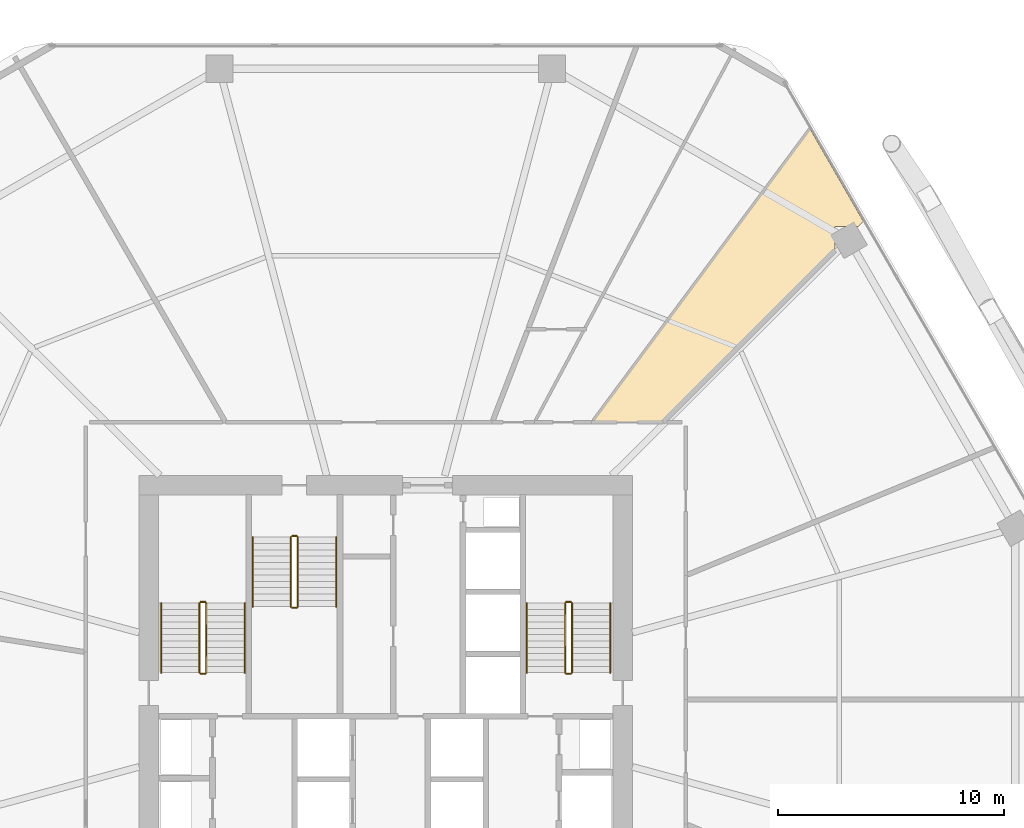
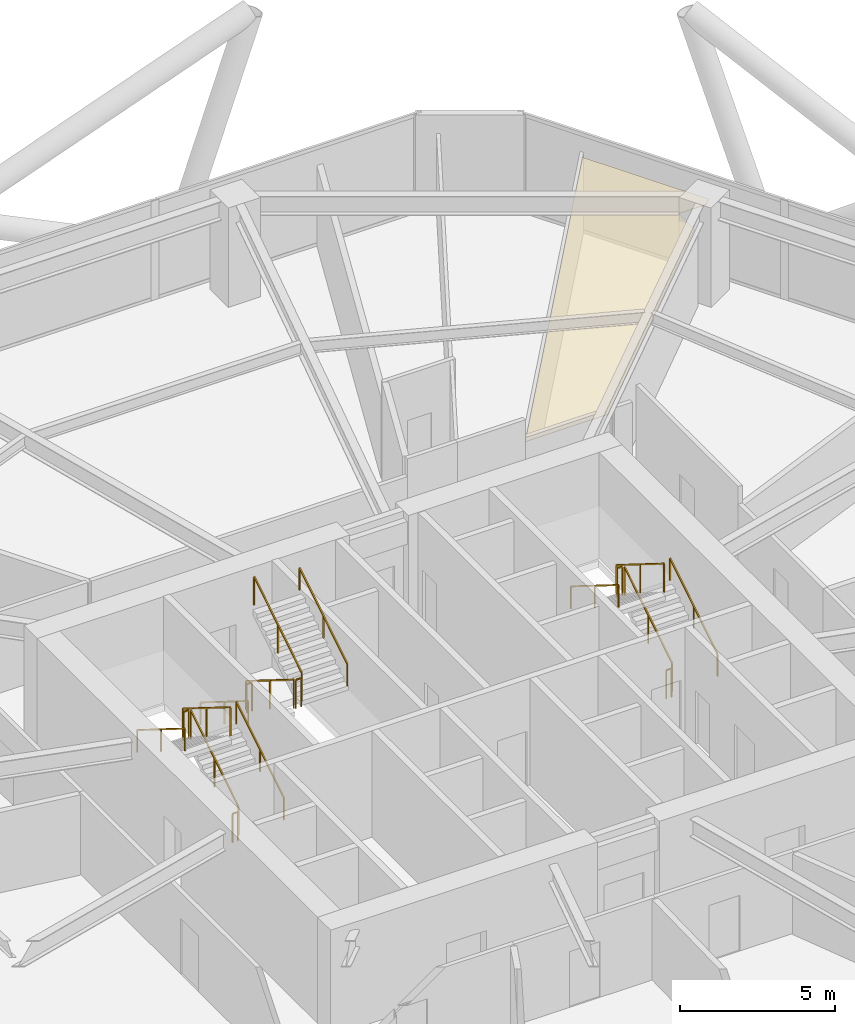
# One storey, part 28 of 28: 18 railings, 1 covering.
"""IFC4 building model written with IfcOpenShell, lengths in metres."""

from ifc_helpers import new_model, si_unit, direction, frame, origin, origin_2d, place, context, subcontext, project, spatial, polyline, rectangle, outline, extrude, material, layer, layer_set, type_object, element, save


model = new_model("IFC4")

# Units and contexts
model_context = context("Model", 3, precision=1e-05, world=origin(), true_north=direction((0.0, 1.0)))
body_context = subcontext(model_context, "Body", "Model", "MODEL_VIEW")
ifc_project = project(units=[si_unit("LENGTHUNIT", "METRE"), si_unit("AREAUNIT", "SQUARE_METRE"), si_unit("VOLUMEUNIT", "CUBIC_METRE"), si_unit("PLANEANGLEUNIT", "RADIAN"), si_unit("MASSUNIT", "GRAM", prefix="KILO")], contexts=[model_context])

# Site, building, storey
site_placement = place(None, origin())
site = spatial("IfcSite", under=ifc_project, at=site_placement, CompositionType="ELEMENT")
building_placement = place(site_placement, origin())
building = spatial("IfcBuilding", under=site, at=building_placement, Name="Zuhravey Tower", CompositionType="ELEMENT")
storey_placement = place(building_placement, frame((0.0, 0.0, 66.60009765625)))
storey = spatial("IfcBuildingStorey", under=building, at=storey_placement, Name="L16", CompositionType="ELEMENT", Elevation=66.60009765625)

# Covering
ifc_material_1 = material(Name="Moisture-resistant gypsum ceiling board")
ifc_layer = layer(ifc_material_1, 0.02001953125)
ifc_layer_set = layer_set([ifc_layer], Name="Moisture-resistant gypsum ceiling board")
covering_type = type_object("IfcCoveringType", Name="Moisture-Resistant Ceiling", PredefinedType="CEILING", material=ifc_layer_set)
covering_placement = place(storey_placement, frame((0.0, 0.0, 2.9599609375)))
element("IfcCovering", 1, at=covering_placement, inside=storey, type_object=covering_type, Name="L16 Wet-Room Ceiling CLG2", PredefinedType="CEILING", context=body_context, shape_type="SweptSolid", body=[
    extrude(outline(polyline([(56.938720703125, 52.966796875), (55.908935546875, 52.966796875), (55.908935546875, 51.937255859375), (48.276611328125, 44.304931640625), (45.163330078125, 44.304931640625), (54.798095703125, 57.27783203125), (57.159423828125, 53.187744140625), (56.938720703125, 52.966796875)])), origin(), (0.0, 0.0, 1.0), 0.02001953125),
])

# Railings
ifc_material_2 = material(Name="Brushed stainless steel", Category="steel")
railing_type_1 = type_object("IfcRailingType", Name="Stair Wall Handrail 900", PredefinedType="HANDRAIL", material=ifc_material_2)
railing_1_placement = place(storey_placement, frame((29.75, 33.199951171875, 0.1748046875)))
element("IfcRailing", 2, at=railing_1_placement, inside=storey, type_object=railing_type_1, Name="L16 ST1 stair handrail 1", PredefinedType="HANDRAIL", context=body_context, shape_type="SweptSolid", body=[
    extrude(rectangle(XDim=0.048095703125, YDim=0.048095703125, at=origin_2d()), frame((0.0, 0.001708984375, 0.876953125), z_axis=(0.0, 0.847998304005, 0.529998940003), x_axis=(-1.0, 0.0, 0.0)), (0.0, 0.0, 1.0), 3.628173828125),
    extrude(rectangle(XDim=0.0419921875, YDim=0.0419921875, at=origin_2d()), origin(), (0.0, 0.0, 1.0), 0.849853515625),
    extrude(rectangle(XDim=0.0419921875, YDim=0.0419921875, at=origin_2d()), frame((0.0, 1.5400390625, 0.96240234375)), (0.0, 0.0, 1.0), 0.849853515625),
    extrude(rectangle(XDim=0.0419921875, YDim=0.0419921875, at=origin_2d()), frame((0.0, 3.080078125, 1.925048828125)), (0.0, 0.0, 1.0), 0.849853515625),
])
railing_2_placement = place(storey_placement, frame((26.050048828125, 36.280029296875, 2.27490234375)))
element("IfcRailing", 3, at=railing_2_placement, inside=storey, type_object=railing_type_1, Name="L16 ST1 stair handrail 2", PredefinedType="HANDRAIL", context=body_context, shape_type="SweptSolid", body=[
    extrude(rectangle(XDim=0.048095703125, YDim=0.048095703125, at=origin_2d()), frame((0.0, -0.001708984375, 0.876953125), z_axis=(0.0, -0.847998304005, 0.529998940003), x_axis=(1.0, 0.0, 0.0)), (0.0, 0.0, 1.0), 3.628173828125),
    extrude(rectangle(XDim=0.0419921875, YDim=0.0419921875, at=origin_2d()), origin(), (0.0, 0.0, 1.0), 0.849853515625),
    extrude(rectangle(XDim=0.0419921875, YDim=0.0419921875, at=origin_2d()), frame((0.0, -1.5400390625, 0.96240234375)), (0.0, 0.0, 1.0), 0.849853515625),
    extrude(rectangle(XDim=0.0419921875, YDim=0.0419921875, at=origin_2d()), frame((0.0, -3.080078125, 1.925048828125)), (0.0, 0.0, 1.0), 0.849853515625),
])
railing_3_placement = place(storey_placement, frame((45.949951171875, 33.199951171875, 0.1748046875)))
element("IfcRailing", 4, at=railing_3_placement, inside=storey, type_object=railing_type_1, Name="L16 ST2 stair handrail 1", PredefinedType="HANDRAIL", context=body_context, shape_type="SweptSolid", body=[
    extrude(rectangle(XDim=0.048095703125, YDim=0.048095703125, at=origin_2d()), frame((0.0, 0.001708984375, 0.876953125), z_axis=(0.0, 0.847998304005, 0.529998940003), x_axis=(-1.0, 0.0, 0.0)), (0.0, 0.0, 1.0), 3.628173828125),
    extrude(rectangle(XDim=0.0419921875, YDim=0.0419921875, at=origin_2d()), origin(), (0.0, 0.0, 1.0), 0.849853515625),
    extrude(rectangle(XDim=0.0419921875, YDim=0.0419921875, at=origin_2d()), frame((0.0, 1.5400390625, 0.96240234375)), (0.0, 0.0, 1.0), 0.849853515625),
    extrude(rectangle(XDim=0.0419921875, YDim=0.0419921875, at=origin_2d()), frame((0.0, 3.080078125, 1.925048828125)), (0.0, 0.0, 1.0), 0.849853515625),
])
railing_4_placement = place(storey_placement, frame((42.25, 36.280029296875, 2.27490234375)))
element("IfcRailing", 5, at=railing_4_placement, inside=storey, type_object=railing_type_1, Name="L16 ST2 stair handrail 2", PredefinedType="HANDRAIL", context=body_context, shape_type="SweptSolid", body=[
    extrude(rectangle(XDim=0.048095703125, YDim=0.048095703125, at=origin_2d()), frame((0.0, -0.001708984375, 0.876953125), z_axis=(0.0, -0.847998304005, 0.529998940003), x_axis=(1.0, 0.0, 0.0)), (0.0, 0.0, 1.0), 3.628173828125),
    extrude(rectangle(XDim=0.0419921875, YDim=0.0419921875, at=origin_2d()), origin(), (0.0, 0.0, 1.0), 0.849853515625),
    extrude(rectangle(XDim=0.0419921875, YDim=0.0419921875, at=origin_2d()), frame((0.0, -1.5400390625, 0.96240234375)), (0.0, 0.0, 1.0), 0.849853515625),
    extrude(rectangle(XDim=0.0419921875, YDim=0.0419921875, at=origin_2d()), frame((0.0, -3.080078125, 1.925048828125)), (0.0, 0.0, 1.0), 0.849853515625),
])
railing_5_placement = place(storey_placement, frame((30.10009765625, 39.199951171875, 0.1748046875)))
element("IfcRailing", 6, at=railing_5_placement, inside=storey, type_object=railing_type_1, Name="L16 ST3 stair handrail 1", PredefinedType="HANDRAIL", context=body_context, shape_type="SweptSolid", body=[
    extrude(rectangle(XDim=0.048095703125, YDim=0.048095703125, at=origin_2d()), frame((0.0, -0.001708984375, 0.876953125), z_axis=(0.0, -0.847979421464, 0.530029150871), x_axis=(1.0, 0.0, 0.0)), (0.0, 0.0, 1.0), 3.6279296875),
    extrude(rectangle(XDim=0.0419921875, YDim=0.0419921875, at=origin_2d()), origin(), (0.0, 0.0, 1.0), 0.849853515625),
    extrude(rectangle(XDim=0.0419921875, YDim=0.0419921875, at=origin_2d()), frame((0.0, -1.5400390625, 0.96240234375)), (0.0, 0.0, 1.0), 0.849853515625),
    extrude(rectangle(XDim=0.0419921875, YDim=0.0419921875, at=origin_2d()), frame((0.0, -3.079833984375, 1.925048828125)), (0.0, 0.0, 1.0), 0.849853515625),
])
railing_6_placement = place(storey_placement, frame((33.800048828125, 36.1201171875, 2.27490234375)))
element("IfcRailing", 7, at=railing_6_placement, inside=storey, type_object=railing_type_1, Name="L16 ST3 stair handrail 2", PredefinedType="HANDRAIL", context=body_context, shape_type="SweptSolid", body=[
    extrude(rectangle(XDim=0.048095703125, YDim=0.048095703125, at=origin_2d()), frame((0.0, 0.001708984375, 0.876953125), z_axis=(0.0, 0.847979421464, 0.530029150871), x_axis=(-1.0, 0.0, 0.0)), (0.0, 0.0, 1.0), 3.6279296875),
    extrude(rectangle(XDim=0.0419921875, YDim=0.0419921875, at=origin_2d()), origin(), (0.0, 0.0, 1.0), 0.849853515625),
    extrude(rectangle(XDim=0.0419921875, YDim=0.0419921875, at=origin_2d()), frame((0.0, 1.5400390625, 0.96240234375)), (0.0, 0.0, 1.0), 0.849853515625),
    extrude(rectangle(XDim=0.0419921875, YDim=0.0419921875, at=origin_2d()), frame((0.0, 3.079833984375, 1.925048828125)), (0.0, 0.0, 1.0), 0.849853515625),
])
ifc_material_3 = material(Name="Painted tubular steel", Category="steel")
railing_type_2 = type_object("IfcRailingType", Name="Stair Well Guardrail 1150", PredefinedType="GUARDRAIL", material=ifc_material_3)
railing_7_placement = place(storey_placement, frame((28.050048828125, 33.199951171875, 0.1748046875)))
element("IfcRailing", 8, at=railing_7_placement, inside=storey, type_object=railing_type_2, Name="L16 ST1 stair guard 1", PredefinedType="GUARDRAIL", context=body_context, shape_type="SweptSolid", body=[
    extrude(rectangle(XDim=0.048095703125, YDim=0.048095703125, at=origin_2d()), frame((0.0, 0.001708984375, 1.126953125), z_axis=(0.0, 0.847998304005, 0.529998940003), x_axis=(-1.0, 0.0, 0.0)), (0.0, 0.0, 1.0), 3.628173828125),
    extrude(rectangle(XDim=0.0419921875, YDim=0.0419921875, at=origin_2d()), origin(), (0.0, 0.0, 1.0), 1.099853515625),
    extrude(rectangle(XDim=0.0419921875, YDim=0.0419921875, at=origin_2d()), frame((0.0, 1.5400390625, 0.96240234375)), (0.0, 0.0, 1.0), 1.099853515625),
    extrude(rectangle(XDim=0.0419921875, YDim=0.0419921875, at=origin_2d()), frame((0.0, 3.080078125, 1.925048828125)), (0.0, 0.0, 1.0), 1.099853515625),
])
railing_8_placement = place(storey_placement, frame((28.0, 36.330078125, 2.099853515625)))
element("IfcRailing", 9, at=railing_8_placement, inside=storey, type_object=railing_type_2, Name="L16 ST1 stair guard 2", PredefinedType="GUARDRAIL", context=body_context, shape_type="SweptSolid", body=[
    extrude(rectangle(XDim=0.048095703125, YDim=0.048095703125, at=origin_2d()), frame((-0.001953125, 0.0, 1.1259765625), z_axis=(-1.0, 0.0, 0.0), x_axis=(0.0, -1.0, 0.0)), (0.0, 0.0, 1.0), 0.196044921875),
    extrude(rectangle(XDim=0.0419921875, YDim=0.0419921875, at=origin_2d()), origin(), (0.0, 0.0, 1.0), 1.099853515625),
    extrude(rectangle(XDim=0.0419921875, YDim=0.0419921875, at=origin_2d()), frame((-0.199951171875, 0.0, 0.0)), (0.0, 0.0, 1.0), 1.099853515625),
])
railing_9_placement = place(storey_placement, frame((27.75, 36.280029296875, 2.27490234375)))
element("IfcRailing", 10, at=railing_9_placement, inside=storey, type_object=railing_type_2, Name="L16 ST1 stair guard 3", PredefinedType="GUARDRAIL", context=body_context, shape_type="SweptSolid", body=[
    extrude(rectangle(XDim=0.048095703125, YDim=0.048095703125, at=origin_2d()), frame((0.0, -0.001708984375, 1.126953125), z_axis=(0.0, -0.847998304005, 0.529998940003), x_axis=(1.0, 0.0, 0.0)), (0.0, 0.0, 1.0), 3.628173828125),
    extrude(rectangle(XDim=0.0419921875, YDim=0.0419921875, at=origin_2d()), origin(), (0.0, 0.0, 1.0), 1.099853515625),
    extrude(rectangle(XDim=0.0419921875, YDim=0.0419921875, at=origin_2d()), frame((0.0, -1.5400390625, 0.96240234375)), (0.0, 0.0, 1.0), 1.099853515625),
    extrude(rectangle(XDim=0.0419921875, YDim=0.0419921875, at=origin_2d()), frame((0.0, -3.080078125, 1.925048828125)), (0.0, 0.0, 1.0), 1.099853515625),
])
railing_10_placement = place(storey_placement, frame((28.0, 33.14990234375, 0.0)))
element("IfcRailing", 11, at=railing_10_placement, inside=storey, type_object=railing_type_2, Name="L16 ST1 stair guard 4", PredefinedType="GUARDRAIL", context=body_context, shape_type="SweptSolid", body=[
    extrude(rectangle(XDim=0.048095703125, YDim=0.048095703125, at=origin_2d()), frame((-0.001953125, 0.0, 1.1259765625), z_axis=(-1.0, 0.0, 0.0), x_axis=(0.0, -1.0, 0.0)), (0.0, 0.0, 1.0), 0.196044921875),
    extrude(rectangle(XDim=0.0419921875, YDim=0.0419921875, at=origin_2d()), origin(), (0.0, 0.0, 1.0), 1.099853515625),
    extrude(rectangle(XDim=0.0419921875, YDim=0.0419921875, at=origin_2d()), frame((-0.199951171875, 0.0, 0.0)), (0.0, 0.0, 1.0), 1.099853515625),
])
railing_11_placement = place(storey_placement, frame((44.25, 33.199951171875, 0.1748046875)))
element("IfcRailing", 12, at=railing_11_placement, inside=storey, type_object=railing_type_2, Name="L16 ST2 stair guard 1", PredefinedType="GUARDRAIL", context=body_context, shape_type="SweptSolid", body=[
    extrude(rectangle(XDim=0.048095703125, YDim=0.048095703125, at=origin_2d()), frame((0.0, 0.001708984375, 1.126953125), z_axis=(0.0, 0.847998304005, 0.529998940003), x_axis=(-1.0, 0.0, 0.0)), (0.0, 0.0, 1.0), 3.628173828125),
    extrude(rectangle(XDim=0.0419921875, YDim=0.0419921875, at=origin_2d()), origin(), (0.0, 0.0, 1.0), 1.099853515625),
    extrude(rectangle(XDim=0.0419921875, YDim=0.0419921875, at=origin_2d()), frame((0.0, 1.5400390625, 0.96240234375)), (0.0, 0.0, 1.0), 1.099853515625),
    extrude(rectangle(XDim=0.0419921875, YDim=0.0419921875, at=origin_2d()), frame((0.0, 3.080078125, 1.925048828125)), (0.0, 0.0, 1.0), 1.099853515625),
])
railing_12_placement = place(storey_placement, frame((44.199951171875, 36.330078125, 2.099853515625)))
element("IfcRailing", 13, at=railing_12_placement, inside=storey, type_object=railing_type_2, Name="L16 ST2 stair guard 2", PredefinedType="GUARDRAIL", context=body_context, shape_type="SweptSolid", body=[
    extrude(rectangle(XDim=0.048095703125, YDim=0.048095703125, at=origin_2d()), frame((-0.001953125, 0.0, 1.1259765625), z_axis=(-1.0, 0.0, 0.0), x_axis=(0.0, -1.0, 0.0)), (0.0, 0.0, 1.0), 0.196044921875),
    extrude(rectangle(XDim=0.0419921875, YDim=0.0419921875, at=origin_2d()), origin(), (0.0, 0.0, 1.0), 1.099853515625),
    extrude(rectangle(XDim=0.0419921875, YDim=0.0419921875, at=origin_2d()), frame((-0.199951171875, 0.0, 0.0)), (0.0, 0.0, 1.0), 1.099853515625),
])
railing_13_placement = place(storey_placement, frame((43.949951171875, 36.280029296875, 2.27490234375)))
element("IfcRailing", 14, at=railing_13_placement, inside=storey, type_object=railing_type_2, Name="L16 ST2 stair guard 3", PredefinedType="GUARDRAIL", context=body_context, shape_type="SweptSolid", body=[
    extrude(rectangle(XDim=0.048095703125, YDim=0.048095703125, at=origin_2d()), frame((0.0, -0.001708984375, 1.126953125), z_axis=(0.0, -0.847998304005, 0.529998940003), x_axis=(1.0, 0.0, 0.0)), (0.0, 0.0, 1.0), 3.628173828125),
    extrude(rectangle(XDim=0.0419921875, YDim=0.0419921875, at=origin_2d()), origin(), (0.0, 0.0, 1.0), 1.099853515625),
    extrude(rectangle(XDim=0.0419921875, YDim=0.0419921875, at=origin_2d()), frame((0.0, -1.5400390625, 0.96240234375)), (0.0, 0.0, 1.0), 1.099853515625),
    extrude(rectangle(XDim=0.0419921875, YDim=0.0419921875, at=origin_2d()), frame((0.0, -3.080078125, 1.925048828125)), (0.0, 0.0, 1.0), 1.099853515625),
])
railing_14_placement = place(storey_placement, frame((44.199951171875, 33.14990234375, 0.0)))
element("IfcRailing", 15, at=railing_14_placement, inside=storey, type_object=railing_type_2, Name="L16 ST2 stair guard 4", PredefinedType="GUARDRAIL", context=body_context, shape_type="SweptSolid", body=[
    extrude(rectangle(XDim=0.048095703125, YDim=0.048095703125, at=origin_2d()), frame((-0.001953125, 0.0, 1.1259765625), z_axis=(-1.0, 0.0, 0.0), x_axis=(0.0, -1.0, 0.0)), (0.0, 0.0, 1.0), 0.196044921875),
    extrude(rectangle(XDim=0.0419921875, YDim=0.0419921875, at=origin_2d()), origin(), (0.0, 0.0, 1.0), 1.099853515625),
    extrude(rectangle(XDim=0.0419921875, YDim=0.0419921875, at=origin_2d()), frame((-0.199951171875, 0.0, 0.0)), (0.0, 0.0, 1.0), 1.099853515625),
])
railing_15_placement = place(storey_placement, frame((31.800048828125, 39.199951171875, 0.1748046875)))
element("IfcRailing", 16, at=railing_15_placement, inside=storey, type_object=railing_type_2, Name="L16 ST3 stair guard 1", PredefinedType="GUARDRAIL", context=body_context, shape_type="SweptSolid", body=[
    extrude(rectangle(XDim=0.048095703125, YDim=0.048095703125, at=origin_2d()), frame((0.0, -0.001708984375, 1.126953125), z_axis=(0.0, -0.847979421464, 0.530029150871), x_axis=(1.0, 0.0, 0.0)), (0.0, 0.0, 1.0), 3.6279296875),
    extrude(rectangle(XDim=0.0419921875, YDim=0.0419921875, at=origin_2d()), origin(), (0.0, 0.0, 1.0), 1.099853515625),
    extrude(rectangle(XDim=0.0419921875, YDim=0.0419921875, at=origin_2d()), frame((0.0, -1.5400390625, 0.96240234375)), (0.0, 0.0, 1.0), 1.099853515625),
    extrude(rectangle(XDim=0.0419921875, YDim=0.0419921875, at=origin_2d()), frame((0.0, -3.079833984375, 1.925048828125)), (0.0, 0.0, 1.0), 1.099853515625),
])
railing_16_placement = place(storey_placement, frame((31.85009765625, 36.070068359375, 2.099853515625)))
element("IfcRailing", 17, at=railing_16_placement, inside=storey, type_object=railing_type_2, Name="L16 ST3 stair guard 2", PredefinedType="GUARDRAIL", context=body_context, shape_type="SweptSolid", body=[
    extrude(rectangle(XDim=0.048095703125, YDim=0.048095703125, at=origin_2d()), frame((0.001953125, 0.0, 1.1259765625), z_axis=(1.0, 0.0, 0.0), x_axis=(0.0, 1.0, 0.0)), (0.0, 0.0, 1.0), 0.196044921875),
    extrude(rectangle(XDim=0.0419921875, YDim=0.0419921875, at=origin_2d()), origin(), (0.0, 0.0, 1.0), 1.099853515625),
    extrude(rectangle(XDim=0.0419921875, YDim=0.0419921875, at=origin_2d()), frame((0.199951171875, 0.0, 0.0)), (0.0, 0.0, 1.0), 1.099853515625),
])
railing_17_placement = place(storey_placement, frame((32.10009765625, 36.1201171875, 2.27490234375)))
element("IfcRailing", 18, at=railing_17_placement, inside=storey, type_object=railing_type_2, Name="L16 ST3 stair guard 3", PredefinedType="GUARDRAIL", context=body_context, shape_type="SweptSolid", body=[
    extrude(rectangle(XDim=0.048095703125, YDim=0.048095703125, at=origin_2d()), frame((0.0, 0.001708984375, 1.126953125), z_axis=(0.0, 0.847979421464, 0.530029150871), x_axis=(-1.0, 0.0, 0.0)), (0.0, 0.0, 1.0), 3.6279296875),
    extrude(rectangle(XDim=0.0419921875, YDim=0.0419921875, at=origin_2d()), origin(), (0.0, 0.0, 1.0), 1.099853515625),
    extrude(rectangle(XDim=0.0419921875, YDim=0.0419921875, at=origin_2d()), frame((0.0, 1.5400390625, 0.96240234375)), (0.0, 0.0, 1.0), 1.099853515625),
    extrude(rectangle(XDim=0.0419921875, YDim=0.0419921875, at=origin_2d()), frame((0.0, 3.079833984375, 1.925048828125)), (0.0, 0.0, 1.0), 1.099853515625),
])
railing_18_placement = place(storey_placement, frame((31.85009765625, 39.25, 0.0)))
element("IfcRailing", 19, at=railing_18_placement, inside=storey, type_object=railing_type_2, Name="L16 ST3 stair guard 4", PredefinedType="GUARDRAIL", context=body_context, shape_type="SweptSolid", body=[
    extrude(rectangle(XDim=0.048095703125, YDim=0.048095703125, at=origin_2d()), frame((0.001953125, 0.0, 1.1259765625), z_axis=(1.0, 0.0, 0.0), x_axis=(0.0, 1.0, 0.0)), (0.0, 0.0, 1.0), 0.196044921875),
    extrude(rectangle(XDim=0.0419921875, YDim=0.0419921875, at=origin_2d()), origin(), (0.0, 0.0, 1.0), 1.099853515625),
    extrude(rectangle(XDim=0.0419921875, YDim=0.0419921875, at=origin_2d()), frame((0.199951171875, 0.0, 0.0)), (0.0, 0.0, 1.0), 1.099853515625),
])

save(model, "model.ifc")
